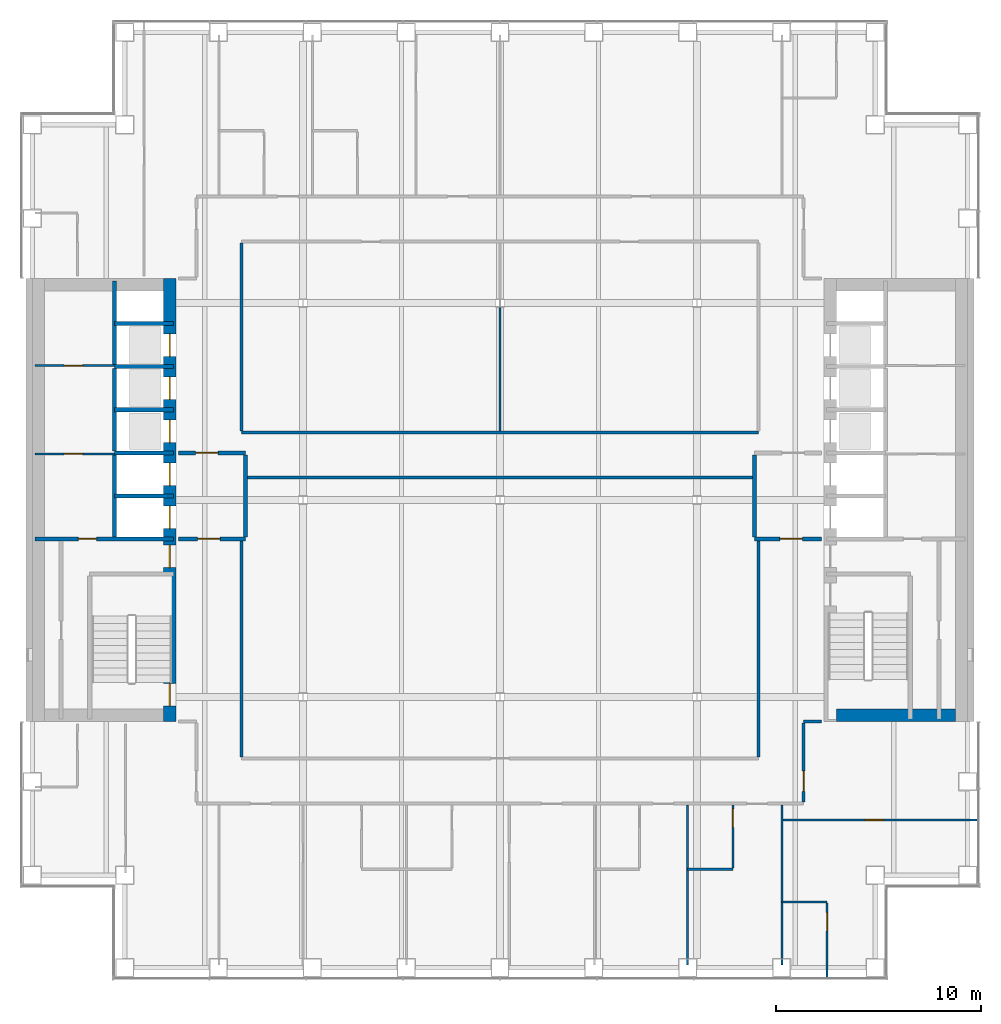
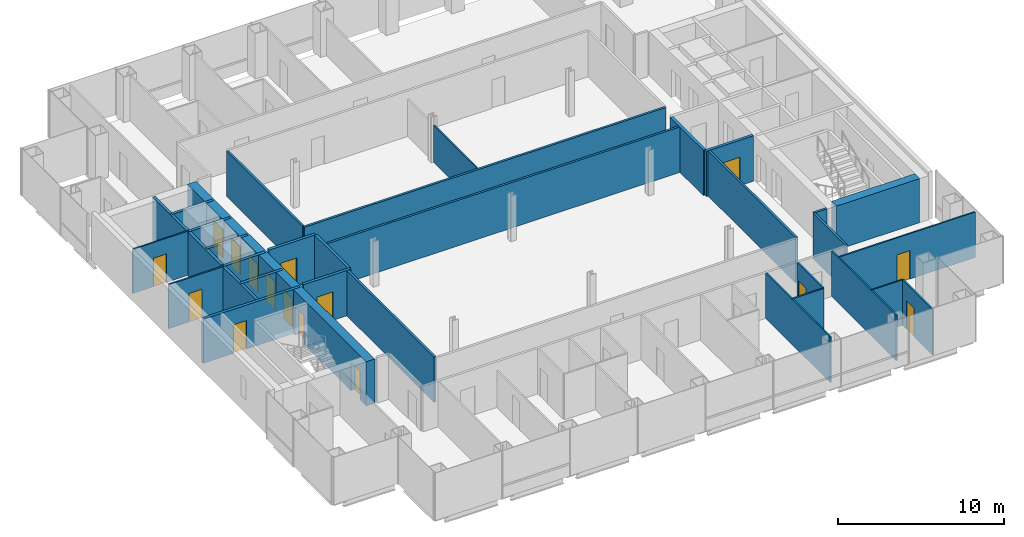
# One storey, part 11 of 15: 33 walls, 17 doors, 17 openings.
"""IFC4 building model written with IfcOpenShell, lengths in metres."""

from ifc_helpers import new_model, si_unit, direction, frame, frame_2d, origin, place, context, subcontext, project, spatial, rectangle, extrude, material, layer, layer_set, type_object, element, fill, save


model = new_model("IFC4")

# Units and contexts
model_context = context("Model", 3, precision=1e-05, world=origin(), true_north=direction((0.0, 1.0)))
body_context = subcontext(model_context, "Body", "Model", "MODEL_VIEW")
ifc_project = project(units=[si_unit("LENGTHUNIT", "METRE"), si_unit("AREAUNIT", "SQUARE_METRE"), si_unit("VOLUMEUNIT", "CUBIC_METRE"), si_unit("PLANEANGLEUNIT", "RADIAN"), si_unit("MASSUNIT", "GRAM", prefix="KILO")], contexts=[model_context])

# Site, building, storey
site_placement = place(None, origin())
site = spatial("IfcSite", under=ifc_project, at=site_placement, CompositionType="ELEMENT")
building_placement = place(site_placement, origin())
building = spatial("IfcBuilding", under=site, at=building_placement, Name="Cobrizo Arcos Hotel Tower", CompositionType="ELEMENT")
storey_placement = place(building_placement, frame((0.0, 0.0, 99.5)))
storey = spatial("IfcBuildingStorey", under=building, at=storey_placement, Name="L24", CompositionType="ELEMENT", Elevation=99.5)

# Walls
ifc_material_1 = material(Name="Gypsum board partition")
ifc_layer_1 = layer(ifc_material_1, 0.14990234375)
ifc_layer_set_1 = layer_set([ifc_layer_1], Name="Corridor wall EI 60 150")
wall_type_1 = type_object("IfcWallType", Name="Corridor wall EI 60 150", PredefinedType="PARTITIONING", material=ifc_layer_set_1)
wall_1_placement = place(storey_placement, frame((14.800048828125, -10.800048828125, 0.0), z_axis=(0.0, 0.0, 1.0), x_axis=(1.0, 0.0, 0.0)))
element("IfcWall", 1, at=wall_1_placement, inside=storey, type_object=wall_type_1, Name="Partition 010", PredefinedType="PARTITIONING", context=body_context, shape_type="SweptSolid", body=[
    extrude(rectangle(XDim=0.8798828125, YDim=0.14990234375, at=frame_2d((0.43994140625, 0.0))), origin(), (0.0, 0.0, 1.0), 3.35009765625),
])
wall_2_placement = place(storey_placement, frame((-12.39990234375, 1.10009765625, 0.0), z_axis=(0.0, 0.0, 1.0), x_axis=(1.0, 0.0, 0.0)))
element("IfcWall", 2, at=wall_2_placement, inside=storey, type_object=wall_type_1, Name="Partition 019", PredefinedType="PARTITIONING", context=body_context, shape_type="SweptSolid", body=[
    extrude(rectangle(XDim=24.7998046875, YDim=0.14990234375, at=frame_2d((12.39990234375, 0.0))), origin(), (0.0, 0.0, 1.0), 3.35009765625),
])
wall_3_placement = place(storey_placement, frame((-12.60009765625, 3.300048828125, 0.0), z_axis=(0.0, 0.0, 1.0), x_axis=(1.0, 0.0, 0.0)))
element("IfcWall", 3, at=wall_3_placement, inside=storey, type_object=wall_type_1, Name="Partition 026", PredefinedType="PARTITIONING", context=body_context, shape_type="SweptSolid", body=[
    extrude(rectangle(XDim=25.2001953125, YDim=0.14990234375, at=frame_2d((12.60009765625, 0.0))), origin(), (0.0, 0.0, 1.0), 3.35009765625),
])
wall_4_placement = place(storey_placement, frame((-12.60009765625, -12.52490234375, 0.0), z_axis=(0.0, 0.0, 1.0), x_axis=(0.0, 1.0, 0.0)))
element("IfcWall", 4, at=wall_4_placement, inside=storey, type_object=wall_type_1, Name="Partition 056", PredefinedType="PARTITIONING", context=body_context, shape_type="SweptSolid", body=[
    extrude(rectangle(XDim=10.52490234375, YDim=0.14990234375, at=frame_2d((5.262451171875, 0.0))), origin(), (0.0, 0.0, 1.0), 3.35009765625),
])
wall_5_placement = place(storey_placement, frame((-12.60009765625, 3.375, 0.0), z_axis=(0.0, 0.0, 1.0), x_axis=(0.0, 1.0, 0.0)))
element("IfcWall", 5, at=wall_5_placement, inside=storey, type_object=wall_type_1, Name="Partition 057", PredefinedType="PARTITIONING", context=body_context, shape_type="SweptSolid", body=[
    extrude(rectangle(XDim=9.14990234375, YDim=0.14990234375, at=frame_2d((4.574951171875, 0.0))), origin(), (0.0, 0.0, 1.0), 3.35009765625),
])
wall_6_placement = place(storey_placement, frame((12.60009765625, -12.52490234375, 0.0), z_axis=(0.0, 0.0, 1.0), x_axis=(0.0, 1.0, 0.0)))
element("IfcWall", 6, at=wall_6_placement, inside=storey, type_object=wall_type_1, Name="Partition 080", PredefinedType="PARTITIONING", context=body_context, shape_type="SweptSolid", body=[
    extrude(rectangle(XDim=10.52490234375, YDim=0.14990234375, at=frame_2d((5.262451171875, 0.0))), origin(), (0.0, 0.0, 1.0), 3.35009765625),
])

# Wall, opening, door
wall_7_placement = place(storey_placement, frame((14.800048828125, -14.72509765625, 0.0), z_axis=(0.0, 0.0, 1.0), x_axis=(0.0, 1.0, 0.0)))
wall_7 = element("IfcWall", 7, at=wall_7_placement, inside=storey, type_object=wall_type_1, Name="Partition 084", PredefinedType="PARTITIONING", context=body_context, shape_type="SweptSolid", body=[
    extrude(rectangle(XDim=3.85009765625, YDim=0.14990234375, at=frame_2d((1.925048828125, 0.0))), origin(), (0.0, 0.0, 1.0), 3.35009765625),
])
opening_1_placement = place(wall_7_placement, frame((0.52490234375, 0.0, 0.0)))
opening_1 = element("IfcOpeningElement", 8, at=opening_1_placement, cuts=wall_7, Name="Opening GD-09", PredefinedType="OPENING", context=body_context, shape_type="SweptSolid", body=[
    extrude(rectangle(XDim=1.0, YDim=2.10009765625, at=frame_2d((0.5, 1.050048828125))), frame((0.0, 0.0869140625, 0.0), z_axis=(0.0, -1.0, 0.0), x_axis=(1.0, 0.0, 0.0)), (0.0, 0.0, 1.0), 0.173828125),
])
ifc_material_2 = material(Name="Timber door leaf", Category="wood")
door_type_1 = type_object("IfcDoorType", Name="Guest room door FD30S 1000x2100", OperationType="SINGLE_SWING_LEFT", PredefinedType="DOOR", material=ifc_material_2)
door_1_placement = place(opening_1_placement, origin())
door_1 = element("IfcDoor", 9, at=door_1_placement, inside=storey, type_object=door_type_1, Name="Door GD-09", OperationType="SINGLE_SWING_LEFT", OverallHeight=2.10009765625, OverallWidth=1.0, PredefinedType="DOOR", context=body_context, shape_type="SweptSolid", body=[
    extrude(rectangle(XDim=1.0, YDim=2.10009765625, at=frame_2d((0.5, 1.050048828125))), frame((0.0, 0.02490234375, 0.0), z_axis=(0.0, -1.0, 0.0), x_axis=(1.0, 0.0, 0.0)), (0.0, 0.0, 1.0), 0.050048828125),
])
fill(opening_1, door_1)

# Walls
ifc_layer_2 = layer(ifc_material_1, 0.10009765625)
ifc_layer_set_2 = layer_set([ifc_layer_2], Name="Partition EI 30 100")
wall_type_2 = type_object("IfcWallType", Name="Partition EI 30 100", PredefinedType="PARTITIONING", material=ifc_layer_set_2)
wall_8_placement = place(storey_placement, frame((13.75, -19.60009765625, 0.0), z_axis=(0.0, 0.0, 1.0), x_axis=(1.0, 0.0, 0.0)))
element("IfcWall", 10, at=wall_8_placement, inside=storey, type_object=wall_type_2, Name="Partition 001", PredefinedType="PARTITIONING", context=body_context, shape_type="SweptSolid", body=[
    extrude(rectangle(XDim=2.199951171875, YDim=0.10009765625, at=frame_2d((1.10009765625, 0.0))), origin(), (0.0, 0.0, 1.0), 3.35009765625),
])
wall_9_placement = place(storey_placement, frame((9.14990234375, -18.0, 0.0), z_axis=(0.0, 0.0, 1.0), x_axis=(1.0, 0.0, 0.0)))
element("IfcWall", 11, at=wall_9_placement, inside=storey, type_object=wall_type_2, Name="Partition 004", PredefinedType="PARTITIONING", context=body_context, shape_type="SweptSolid", body=[
    extrude(rectangle(XDim=2.2001953125, YDim=0.10009765625, at=frame_2d((1.10009765625, 0.0))), origin(), (0.0, 0.0, 1.0), 3.35009765625),
])

# Wall, opening, door
wall_10_placement = place(storey_placement, frame((13.75, -15.60009765625, 0.0), z_axis=(0.0, 0.0, 1.0), x_axis=(1.0, 0.0, 0.0)))
wall_10 = element("IfcWall", 12, at=wall_10_placement, inside=storey, type_object=wall_type_2, Name="Partition 005", PredefinedType="PARTITIONING", context=body_context, shape_type="SweptSolid", body=[
    extrude(rectangle(XDim=9.530029296875, YDim=0.10009765625, at=frame_2d((4.76513671875, 0.0))), origin(), (0.0, 0.0, 1.0), 3.35009765625),
])
opening_2_placement = place(wall_10_placement, frame((4.06201171875, 0.0, 0.0)))
opening_2 = element("IfcOpeningElement", 13, at=opening_2_placement, cuts=wall_10, Name="Opening RD-15", PredefinedType="OPENING", context=body_context, shape_type="SweptSolid", body=[
    extrude(rectangle(XDim=0.89990234375, YDim=2.10009765625, at=frame_2d((0.449951171875, 1.050048828125))), frame((0.0, 0.06201171875, 0.0), z_axis=(0.0, -1.0, 0.0), x_axis=(1.0, 0.0, 0.0)), (0.0, 0.0, 1.0), 0.1240234375),
])
door_type_2 = type_object("IfcDoorType", Name="Room door FD30 900x2100", OperationType="SINGLE_SWING_LEFT", PredefinedType="DOOR", material=ifc_material_2)
door_2_placement = place(opening_2_placement, origin())
door_2 = element("IfcDoor", 14, at=door_2_placement, inside=storey, type_object=door_type_2, Name="Door RD-15", OperationType="SINGLE_SWING_LEFT", OverallHeight=2.10009765625, OverallWidth=0.89990234375, PredefinedType="DOOR", context=body_context, shape_type="SweptSolid", body=[
    extrude(rectangle(XDim=0.89990234375, YDim=2.10009765625, at=frame_2d((0.449951171875, 1.050048828125))), frame((0.0, 0.02490234375, 0.0), z_axis=(0.0, -1.0, 0.0), x_axis=(1.0, 0.0, 0.0)), (0.0, 0.0, 1.0), 0.050048828125),
])
fill(opening_2, door_2)

wall_11_placement = place(storey_placement, frame((-22.679931640625, 2.25, 0.0), z_axis=(0.0, 0.0, 1.0), x_axis=(1.0, 0.0, 0.0)))
wall_11 = element("IfcWall", 15, at=wall_11_placement, inside=storey, type_object=wall_type_2, Name="Partition 020", PredefinedType="PARTITIONING", context=body_context, shape_type="SweptSolid", body=[
    extrude(rectangle(XDim=3.8798828125, YDim=0.10009765625, at=frame_2d((1.93994140625, 0.0))), origin(), (0.0, 0.0, 1.0), 3.25),
])
opening_3_placement = place(wall_11_placement, frame((1.429931640625, 0.0, 0.0)))
opening_3 = element("IfcOpeningElement", 16, at=opening_3_placement, cuts=wall_11, Name="Opening RD-03", PredefinedType="OPENING", context=body_context, shape_type="SweptSolid", body=[
    extrude(rectangle(XDim=0.89990234375, YDim=2.10009765625, at=frame_2d((0.449951171875, 1.050048828125))), frame((0.0, 0.06201171875, 0.0), z_axis=(0.0, -1.0, 0.0), x_axis=(1.0, 0.0, 0.0)), (0.0, 0.0, 1.0), 0.1240234375),
])
door_3_placement = place(opening_3_placement, origin())
door_3 = element("IfcDoor", 17, at=door_3_placement, inside=storey, type_object=door_type_2, Name="Door RD-03", OperationType="SINGLE_SWING_LEFT", OverallHeight=2.10009765625, OverallWidth=0.89990234375, PredefinedType="DOOR", context=body_context, shape_type="SweptSolid", body=[
    extrude(rectangle(XDim=0.89990234375, YDim=2.10009765625, at=frame_2d((0.449951171875, 1.050048828125))), frame((0.0, 0.02490234375, 0.0), z_axis=(0.0, -1.0, 0.0), x_axis=(1.0, 0.0, 0.0)), (0.0, 0.0, 1.0), 0.050048828125),
])
fill(opening_3, door_3)

wall_12_placement = place(storey_placement, frame((-22.679931640625, 6.550048828125, 0.0), z_axis=(0.0, 0.0, 1.0), x_axis=(1.0, 0.0, 0.0)))
wall_12 = element("IfcWall", 18, at=wall_12_placement, inside=storey, type_object=wall_type_2, Name="Partition 031", PredefinedType="PARTITIONING", context=body_context, shape_type="SweptSolid", body=[
    extrude(rectangle(XDim=3.8798828125, YDim=0.10009765625, at=frame_2d((1.93994140625, 0.0))), origin(), (0.0, 0.0, 1.0), 3.25),
])
opening_4_placement = place(wall_12_placement, frame((1.429931640625, 0.0, 0.0)))
opening_4 = element("IfcOpeningElement", 19, at=opening_4_placement, cuts=wall_12, Name="Opening RD-04", PredefinedType="OPENING", context=body_context, shape_type="SweptSolid", body=[
    extrude(rectangle(XDim=0.89990234375, YDim=2.10009765625, at=frame_2d((0.449951171875, 1.050048828125))), frame((0.0, 0.06201171875, 0.0), z_axis=(0.0, -1.0, 0.0), x_axis=(1.0, 0.0, 0.0)), (0.0, 0.0, 1.0), 0.1240234375),
])
door_4_placement = place(opening_4_placement, origin())
door_4 = element("IfcDoor", 20, at=door_4_placement, inside=storey, type_object=door_type_2, Name="Door RD-04", OperationType="SINGLE_SWING_LEFT", OverallHeight=2.10009765625, OverallWidth=0.89990234375, PredefinedType="DOOR", context=body_context, shape_type="SweptSolid", body=[
    extrude(rectangle(XDim=0.89990234375, YDim=2.10009765625, at=frame_2d((0.449951171875, 1.050048828125))), frame((0.0, 0.02490234375, 0.0), z_axis=(0.0, -1.0, 0.0), x_axis=(1.0, 0.0, 0.0)), (0.0, 0.0, 1.0), 0.050048828125),
])
fill(opening_4, door_4)

# Walls
wall_13_placement = place(storey_placement, frame((0.0, 3.375, 0.0), z_axis=(0.0, 0.0, 1.0), x_axis=(0.0, 1.0, 0.0)))
element("IfcWall", 21, at=wall_13_placement, inside=storey, type_object=wall_type_2, Name="Partition 069", PredefinedType="PARTITIONING", context=body_context, shape_type="SweptSolid", body=[
    extrude(rectangle(XDim=6.02587890625, YDim=0.10009765625, at=frame_2d((3.012939453125, 0.0))), origin(), (0.0, 0.0, 1.0), 2.72802734375),
])
wall_14_placement = place(storey_placement, frame((9.14990234375, -22.679931640625, 0.0), z_axis=(0.0, 0.0, 1.0), x_axis=(0.0, 1.0, 0.0)))
element("IfcWall", 22, at=wall_14_placement, inside=storey, type_object=wall_type_2, Name="Partition 077", PredefinedType="PARTITIONING", context=body_context, shape_type="SweptSolid", body=[
    extrude(rectangle(XDim=7.804931640625, YDim=0.10009765625, at=frame_2d((3.90234375, 0.0))), origin(), (0.0, 0.0, 1.0), 3.35009765625),
])

# Wall, opening, door
wall_15_placement = place(storey_placement, frame((11.35009765625, -17.949951171875, 0.0), z_axis=(0.0, 0.0, 1.0), x_axis=(0.0, 1.0, 0.0)))
wall_15 = element("IfcWall", 23, at=wall_15_placement, inside=storey, type_object=wall_type_2, Name="Partition 078", PredefinedType="PARTITIONING", context=body_context, shape_type="SweptSolid", body=[
    extrude(rectangle(XDim=3.074951171875, YDim=0.10009765625, at=frame_2d((1.53759765625, 0.0))), origin(), (0.0, 0.0, 1.0), 3.35009765625),
])
opening_5_placement = place(wall_15_placement, frame((1.99609375, 0.0, 0.0)))
opening_5 = element("IfcOpeningElement", 24, at=opening_5_placement, cuts=wall_15, Name="Opening ED-06", PredefinedType="OPENING", context=body_context, shape_type="SweptSolid", body=[
    extrude(rectangle(XDim=0.89990234375, YDim=2.10009765625, at=frame_2d((0.449951171875, 1.050048828125))), frame((0.0, 0.06201171875, 0.0), z_axis=(0.0, -1.0, 0.0), x_axis=(1.0, 0.0, 0.0)), (0.0, 0.0, 1.0), 0.1240234375),
])
door_type_3 = type_object("IfcDoorType", Name="En-suite door 900x2100", OperationType="SINGLE_SWING_LEFT", PredefinedType="DOOR", material=ifc_material_2)
door_5_placement = place(opening_5_placement, origin())
door_5 = element("IfcDoor", 25, at=door_5_placement, inside=storey, type_object=door_type_3, Name="Door ED-06", OperationType="SINGLE_SWING_LEFT", OverallHeight=2.10009765625, OverallWidth=0.89990234375, PredefinedType="DOOR", context=body_context, shape_type="SweptSolid", body=[
    extrude(rectangle(XDim=0.89990234375, YDim=2.10009765625, at=frame_2d((0.449951171875, 1.050048828125))), frame((0.0, 0.02490234375, 0.0), z_axis=(0.0, -1.0, 0.0), x_axis=(1.0, 0.0, 0.0)), (0.0, 0.0, 1.0), 0.050048828125),
])
fill(opening_5, door_5)

# Wall
wall_16_placement = place(storey_placement, frame((13.75, -22.679931640625, 0.0), z_axis=(0.0, 0.0, 1.0), x_axis=(0.0, 1.0, 0.0)))
element("IfcWall", 26, at=wall_16_placement, inside=storey, type_object=wall_type_2, Name="Partition 082", PredefinedType="PARTITIONING", context=body_context, shape_type="SweptSolid", body=[
    extrude(rectangle(XDim=7.804931640625, YDim=0.10009765625, at=frame_2d((3.90234375, 0.0))), origin(), (0.0, 0.0, 1.0), 3.35009765625),
])

# Wall, opening, door
wall_17_placement = place(storey_placement, frame((15.949951171875, -23.280029296875, 0.0), z_axis=(0.0, 0.0, 1.0), x_axis=(0.0, 1.0, 0.0)))
wall_17 = element("IfcWall", 27, at=wall_17_placement, inside=storey, type_object=wall_type_2, Name="Partition 086", PredefinedType="PARTITIONING", context=body_context, shape_type="SweptSolid", body=[
    extrude(rectangle(XDim=3.630126953125, YDim=0.10009765625, at=frame_2d((1.81494140625, 0.0))), origin(), (0.0, 0.0, 1.0), 3.35009765625),
])
opening_6_placement = place(wall_17_placement, frame((2.27001953125, 0.0, 0.0)))
opening_6 = element("IfcOpeningElement", 28, at=opening_6_placement, cuts=wall_17, Name="Opening ED-09", PredefinedType="OPENING", context=body_context, shape_type="SweptSolid", body=[
    extrude(rectangle(XDim=0.89990234375, YDim=2.10009765625, at=frame_2d((0.449951171875, 1.050048828125))), frame((0.0, 0.06201171875, 0.0), z_axis=(0.0, -1.0, 0.0), x_axis=(1.0, 0.0, 0.0)), (0.0, 0.0, 1.0), 0.1240234375),
])
door_6_placement = place(opening_6_placement, origin())
door_6 = element("IfcDoor", 29, at=door_6_placement, inside=storey, type_object=door_type_3, Name="Door ED-09", OperationType="SINGLE_SWING_LEFT", OverallHeight=2.10009765625, OverallWidth=0.89990234375, PredefinedType="DOOR", context=body_context, shape_type="SweptSolid", body=[
    extrude(rectangle(XDim=0.89990234375, YDim=2.10009765625, at=frame_2d((0.449951171875, 1.050048828125))), frame((0.0, 0.02490234375, 0.0), z_axis=(0.0, -1.0, 0.0), x_axis=(1.0, 0.0, 0.0)), (0.0, 0.0, 1.0), 0.050048828125),
])
fill(opening_6, door_6)

# Wall
ifc_material_3 = material(Name="Concrete f'c 50 MPa", Category="concrete")
ifc_layer_3 = layer(ifc_material_3, 0.60009765625)
ifc_layer_set_3 = layer_set([ifc_layer_3], Name="RC core wall 600 f'c 50")
wall_type_3 = type_object("IfcWallType", Name="RC core wall 600 f'c 50", PredefinedType="SHEAR", material=ifc_layer_set_3)
wall_18_placement = place(storey_placement, frame((16.39990234375, -10.5, 0.0), z_axis=(0.0, 0.0, 1.0), x_axis=(1.0, 0.0, 0.0)))
element("IfcWall", 30, at=wall_18_placement, inside=storey, type_object=wall_type_3, Name="Core wall CW2, east core, south end, L24", PredefinedType="SHEAR", context=body_context, shape_type="SweptSolid", body=[
    extrude(rectangle(XDim=5.800048828125, YDim=0.60009765625, at=frame_2d((2.89990234375, 0.0))), origin(), (0.0, 0.0, 1.0), 3.25),
])

# Wall, openings, doors
wall_19_placement = place(storey_placement, frame((-16.10009765625, -10.800048828125, 0.0), z_axis=(0.0, 0.0, 1.0), x_axis=(0.0, 1.0, 0.0)))
wall_19 = element("IfcWall", 31, at=wall_19_placement, inside=storey, type_object=wall_type_3, Name="Core wall CW2, west core, inner face, L24", PredefinedType="SHEAR", context=body_context, shape_type="SweptSolid", body=[
    extrude(rectangle(XDim=21.60009765625, YDim=0.60009765625, at=frame_2d((10.800048828125, 0.0))), origin(), (0.0, 0.0, 1.0), 3.25),
])
opening_7_placement = place(wall_19_placement, frame((9.39990234375, 0.0, 0.0)))
opening_7 = element("IfcOpeningElement", 32, at=opening_7_placement, cuts=wall_19, Name="Opening LD-01", PredefinedType="OPENING", context=body_context, shape_type="SweptSolid", body=[
    extrude(rectangle(XDim=1.10009765625, YDim=2.10009765625, at=frame_2d((0.550048828125, 1.050048828125))), frame((0.0, 0.31201171875, 0.0), z_axis=(0.0, -1.0, 0.0), x_axis=(1.0, 0.0, 0.0)), (0.0, 0.0, 1.0), 0.6240234375),
])
opening_8_placement = place(wall_19_placement, frame((11.5, 0.0, 0.0)))
opening_8 = element("IfcOpeningElement", 33, at=opening_8_placement, cuts=wall_19, Name="Opening LD-02", PredefinedType="OPENING", context=body_context, shape_type="SweptSolid", body=[
    extrude(rectangle(XDim=1.10009765625, YDim=2.10009765625, at=frame_2d((0.550048828125, 1.050048828125))), frame((0.0, 0.31201171875, 0.0), z_axis=(0.0, -1.0, 0.0), x_axis=(1.0, 0.0, 0.0)), (0.0, 0.0, 1.0), 0.6240234375),
])
opening_9_placement = place(wall_19_placement, frame((13.60009765625, 0.0, 0.0)))
opening_9 = element("IfcOpeningElement", 34, at=opening_9_placement, cuts=wall_19, Name="Opening LD-03", PredefinedType="OPENING", context=body_context, shape_type="SweptSolid", body=[
    extrude(rectangle(XDim=1.10009765625, YDim=2.10009765625, at=frame_2d((0.550048828125, 1.050048828125))), frame((0.0, 0.31201171875, 0.0), z_axis=(0.0, -1.0, 0.0), x_axis=(1.0, 0.0, 0.0)), (0.0, 0.0, 1.0), 0.6240234375),
])
opening_10_placement = place(wall_19_placement, frame((15.699951171875, 0.0, 0.0)))
opening_10 = element("IfcOpeningElement", 35, at=opening_10_placement, cuts=wall_19, Name="Opening LD-04", PredefinedType="OPENING", context=body_context, shape_type="SweptSolid", body=[
    extrude(rectangle(XDim=1.10009765625, YDim=2.10009765625, at=frame_2d((0.550048828125, 1.050048828125))), frame((0.0, 0.31201171875, 0.0), z_axis=(0.0, -1.0, 0.0), x_axis=(1.0, 0.0, 0.0)), (0.0, 0.0, 1.0), 0.6240234375),
])
opening_11_placement = place(wall_19_placement, frame((17.800048828125, 0.0, 0.0)))
opening_11 = element("IfcOpeningElement", 36, at=opening_11_placement, cuts=wall_19, Name="Opening LD-05", PredefinedType="OPENING", context=body_context, shape_type="SweptSolid", body=[
    extrude(rectangle(XDim=1.10009765625, YDim=2.10009765625, at=frame_2d((0.550048828125, 1.050048828125))), frame((0.0, 0.31201171875, 0.0), z_axis=(0.0, -1.0, 0.0), x_axis=(1.0, 0.0, 0.0)), (0.0, 0.0, 1.0), 0.6240234375),
])
opening_12_placement = place(wall_19_placement, frame((0.758056640625, 0.0, 0.0)))
opening_12 = element("IfcOpeningElement", 37, at=opening_12_placement, cuts=wall_19, Name="Opening SD-01", PredefinedType="OPENING", context=body_context, shape_type="SweptSolid", body=[
    extrude(rectangle(XDim=1.10009765625, YDim=2.10009765625, at=frame_2d((0.550048828125, 1.050048828125))), frame((0.0, 0.31201171875, 0.0), z_axis=(0.0, -1.0, 0.0), x_axis=(1.0, 0.0, 0.0)), (0.0, 0.0, 1.0), 0.6240234375),
])
opening_13_placement = place(wall_19_placement, frame((7.5, 0.0, 0.0)))
opening_13 = element("IfcOpeningElement", 38, at=opening_13_placement, cuts=wall_19, Name="Opening FD-01", PredefinedType="OPENING", context=body_context, shape_type="SweptSolid", body=[
    extrude(rectangle(XDim=1.10009765625, YDim=2.10009765625, at=frame_2d((0.550048828125, 1.050048828125))), frame((0.0, 0.31201171875, 0.0), z_axis=(0.0, -1.0, 0.0), x_axis=(1.0, 0.0, 0.0)), (0.0, 0.0, 1.0), 0.6240234375),
])
ifc_material_4 = material(Name="Steel door leaf", Category="steel")
door_type_4 = type_object("IfcDoorType", Name="Fire door FD60 1100x2100", OperationType="SINGLE_SWING_LEFT", PredefinedType="DOOR", material=ifc_material_4)
door_7_placement = place(opening_13_placement, origin())
door_7 = element("IfcDoor", 39, at=door_7_placement, inside=storey, type_object=door_type_4, Name="Door FD-01", OperationType="SINGLE_SWING_LEFT", OverallHeight=2.10009765625, OverallWidth=1.10009765625, PredefinedType="DOOR", context=body_context, shape_type="SweptSolid", body=[
    extrude(rectangle(XDim=1.10009765625, YDim=2.10009765625, at=frame_2d((0.550048828125, 1.050048828125))), frame((0.0, 0.02490234375, 0.0), z_axis=(0.0, -1.0, 0.0), x_axis=(1.0, 0.0, 0.0)), (0.0, 0.0, 1.0), 0.050048828125),
])
fill(opening_13, door_7)
door_type_5 = type_object("IfcDoorType", Name="Lift landing door 1100x2100", OperationType="SLIDING_TO_LEFT", PredefinedType="DOOR", material=ifc_material_4)
door_8_placement = place(opening_7_placement, origin())
door_8 = element("IfcDoor", 40, at=door_8_placement, inside=storey, type_object=door_type_5, Name="Lift landing door LD-01", OperationType="SLIDING_TO_LEFT", OverallHeight=2.10009765625, OverallWidth=1.10009765625, PredefinedType="DOOR", context=body_context, shape_type="SweptSolid", body=[
    extrude(rectangle(XDim=1.10009765625, YDim=2.10009765625, at=frame_2d((0.550048828125, 1.050048828125))), frame((0.0, 0.02490234375, 0.0), z_axis=(0.0, -1.0, 0.0), x_axis=(1.0, 0.0, 0.0)), (0.0, 0.0, 1.0), 0.050048828125),
])
fill(opening_7, door_8)
door_9_placement = place(opening_8_placement, origin())
door_9 = element("IfcDoor", 41, at=door_9_placement, inside=storey, type_object=door_type_5, Name="Lift landing door LD-02", OperationType="SLIDING_TO_LEFT", OverallHeight=2.10009765625, OverallWidth=1.10009765625, PredefinedType="DOOR", context=body_context, shape_type="SweptSolid", body=[
    extrude(rectangle(XDim=1.10009765625, YDim=2.10009765625, at=frame_2d((0.550048828125, 1.050048828125))), frame((0.0, 0.02490234375, 0.0), z_axis=(0.0, -1.0, 0.0), x_axis=(1.0, 0.0, 0.0)), (0.0, 0.0, 1.0), 0.050048828125),
])
fill(opening_8, door_9)
door_10_placement = place(opening_9_placement, origin())
door_10 = element("IfcDoor", 42, at=door_10_placement, inside=storey, type_object=door_type_5, Name="Lift landing door LD-03", OperationType="SLIDING_TO_LEFT", OverallHeight=2.10009765625, OverallWidth=1.10009765625, PredefinedType="DOOR", context=body_context, shape_type="SweptSolid", body=[
    extrude(rectangle(XDim=1.10009765625, YDim=2.10009765625, at=frame_2d((0.550048828125, 1.050048828125))), frame((0.0, 0.02490234375, 0.0), z_axis=(0.0, -1.0, 0.0), x_axis=(1.0, 0.0, 0.0)), (0.0, 0.0, 1.0), 0.050048828125),
])
fill(opening_9, door_10)
door_11_placement = place(opening_10_placement, origin())
door_11 = element("IfcDoor", 43, at=door_11_placement, inside=storey, type_object=door_type_5, Name="Lift landing door LD-04", OperationType="SLIDING_TO_LEFT", OverallHeight=2.10009765625, OverallWidth=1.10009765625, PredefinedType="DOOR", context=body_context, shape_type="SweptSolid", body=[
    extrude(rectangle(XDim=1.10009765625, YDim=2.10009765625, at=frame_2d((0.550048828125, 1.050048828125))), frame((0.0, 0.02490234375, 0.0), z_axis=(0.0, -1.0, 0.0), x_axis=(1.0, 0.0, 0.0)), (0.0, 0.0, 1.0), 0.050048828125),
])
fill(opening_10, door_11)
door_12_placement = place(opening_11_placement, origin())
door_12 = element("IfcDoor", 44, at=door_12_placement, inside=storey, type_object=door_type_5, Name="Lift landing door LD-05", OperationType="SLIDING_TO_LEFT", OverallHeight=2.10009765625, OverallWidth=1.10009765625, PredefinedType="DOOR", context=body_context, shape_type="SweptSolid", body=[
    extrude(rectangle(XDim=1.10009765625, YDim=2.10009765625, at=frame_2d((0.550048828125, 1.050048828125))), frame((0.0, 0.02490234375, 0.0), z_axis=(0.0, -1.0, 0.0), x_axis=(1.0, 0.0, 0.0)), (0.0, 0.0, 1.0), 0.050048828125),
])
fill(opening_11, door_12)
door_type_6 = type_object("IfcDoorType", Name="Stair door FD60S 1100x2100", OperationType="SINGLE_SWING_LEFT", PredefinedType="DOOR", material=ifc_material_4)
door_13_placement = place(opening_12_placement, origin())
door_13 = element("IfcDoor", 45, at=door_13_placement, inside=storey, type_object=door_type_6, Name="Door SD-01", OperationType="SINGLE_SWING_RIGHT", OverallHeight=2.10009765625, OverallWidth=1.10009765625, PredefinedType="DOOR", context=body_context, shape_type="SweptSolid", body=[
    extrude(rectangle(XDim=1.10009765625, YDim=2.10009765625, at=frame_2d((0.550048828125, 1.050048828125))), frame((0.0, 0.02490234375, 0.0), z_axis=(0.0, -1.0, 0.0), x_axis=(1.0, 0.0, 0.0)), (0.0, 0.0, 1.0), 0.050048828125),
])
fill(opening_12, door_13)

# Wall, opening, door
ifc_layer_4 = layer(ifc_material_1, 0.199951171875)
ifc_layer_set_4 = layer_set([ifc_layer_4], Name="Shaft wall EI 120 200")
wall_type_4 = type_object("IfcWallType", Name="Shaft wall EI 120 200", PredefinedType="PARTITIONING", material=ifc_layer_set_4)
wall_20_placement = place(storey_placement, frame((-22.679931640625, -1.89990234375, 0.0), z_axis=(0.0, 0.0, 1.0), x_axis=(1.0, 0.0, 0.0)))
wall_20 = element("IfcWall", 46, at=wall_20_placement, inside=storey, type_object=wall_type_4, Name="Partition 013", PredefinedType="PARTITIONING", context=body_context, shape_type="SweptSolid", body=[
    extrude(rectangle(XDim=6.760009765625, YDim=0.199951171875, at=frame_2d((3.3798828125, 0.0))), origin(), (0.0, 0.0, 1.0), 3.25),
])
opening_14_placement = place(wall_20_placement, frame((2.1201171875, 0.0, 0.0)))
opening_14 = element("IfcOpeningElement", 47, at=opening_14_placement, cuts=wall_20, Name="Opening RD-02", PredefinedType="OPENING", context=body_context, shape_type="SweptSolid", body=[
    extrude(rectangle(XDim=0.89990234375, YDim=2.10009765625, at=frame_2d((0.449951171875, 1.050048828125))), frame((0.0, 0.112060546875, 0.0), z_axis=(0.0, -1.0, 0.0), x_axis=(1.0, 0.0, 0.0)), (0.0, 0.0, 1.0), 0.223876953125),
])
door_14_placement = place(opening_14_placement, origin())
door_14 = element("IfcDoor", 48, at=door_14_placement, inside=storey, type_object=door_type_2, Name="Door RD-02", OperationType="SINGLE_SWING_RIGHT", OverallHeight=2.10009765625, OverallWidth=0.89990234375, PredefinedType="DOOR", context=body_context, shape_type="SweptSolid", body=[
    extrude(rectangle(XDim=0.89990234375, YDim=2.10009765625, at=frame_2d((0.449951171875, 1.050048828125))), frame((0.0, 0.02490234375, 0.0), z_axis=(0.0, -1.0, 0.0), x_axis=(1.0, 0.0, 0.0)), (0.0, 0.0, 1.0), 0.050048828125),
])
fill(opening_14, door_14)

wall_21_placement = place(storey_placement, frame((-15.679931640625, -1.89990234375, 0.0), z_axis=(0.0, 0.0, 1.0), x_axis=(1.0, 0.0, 0.0)))
wall_21 = element("IfcWall", 49, at=wall_21_placement, inside=storey, type_object=wall_type_4, Name="Partition 014", PredefinedType="PARTITIONING", context=body_context, shape_type="SweptSolid", body=[
    extrude(rectangle(XDim=3.280029296875, YDim=0.199951171875, at=frame_2d((1.64013671875, 0.0))), origin(), (0.0, 0.0, 1.0), 3.35009765625),
])
opening_15_placement = place(wall_21_placement, frame((0.93994140625, 0.0, 0.0)))
opening_15 = element("IfcOpeningElement", 50, at=opening_15_placement, cuts=wall_21, Name="Opening FD-02", PredefinedType="OPENING", context=body_context, shape_type="SweptSolid", body=[
    extrude(rectangle(XDim=1.10009765625, YDim=2.10009765625, at=frame_2d((0.550048828125, 1.050048828125))), frame((0.0, 0.112060546875, 0.0), z_axis=(0.0, -1.0, 0.0), x_axis=(1.0, 0.0, 0.0)), (0.0, 0.0, 1.0), 0.223876953125),
])
door_15_placement = place(opening_15_placement, origin())
door_15 = element("IfcDoor", 51, at=door_15_placement, inside=storey, type_object=door_type_4, Name="Door FD-02", OperationType="SINGLE_SWING_LEFT", OverallHeight=2.10009765625, OverallWidth=1.10009765625, PredefinedType="DOOR", context=body_context, shape_type="SweptSolid", body=[
    extrude(rectangle(XDim=1.10009765625, YDim=2.10009765625, at=frame_2d((0.550048828125, 1.050048828125))), frame((0.0, 0.02490234375, 0.0), z_axis=(0.0, -1.0, 0.0), x_axis=(1.0, 0.0, 0.0)), (0.0, 0.0, 1.0), 0.050048828125),
])
fill(opening_15, door_15)

wall_22_placement = place(storey_placement, frame((12.39990234375, -1.89990234375, 0.0), z_axis=(0.0, 0.0, 1.0), x_axis=(1.0, 0.0, 0.0)))
wall_22 = element("IfcWall", 52, at=wall_22_placement, inside=storey, type_object=wall_type_4, Name="Partition 015", PredefinedType="PARTITIONING", context=body_context, shape_type="SweptSolid", body=[
    extrude(rectangle(XDim=3.280029296875, YDim=0.199951171875, at=frame_2d((1.64013671875, 0.0))), origin(), (0.0, 0.0, 1.0), 3.35009765625),
])
opening_16_placement = place(wall_22_placement, frame((1.239990234375, 0.0, 0.0)))
opening_16 = element("IfcOpeningElement", 53, at=opening_16_placement, cuts=wall_22, Name="Opening FD-05", PredefinedType="OPENING", context=body_context, shape_type="SweptSolid", body=[
    extrude(rectangle(XDim=1.10009765625, YDim=2.10009765625, at=frame_2d((0.550048828125, 1.050048828125))), frame((0.0, 0.112060546875, 0.0), z_axis=(0.0, -1.0, 0.0), x_axis=(1.0, 0.0, 0.0)), (0.0, 0.0, 1.0), 0.223876953125),
])
door_16_placement = place(opening_16_placement, origin())
door_16 = element("IfcDoor", 54, at=door_16_placement, inside=storey, type_object=door_type_4, Name="Door FD-05", OperationType="SINGLE_SWING_LEFT", OverallHeight=2.10009765625, OverallWidth=1.10009765625, PredefinedType="DOOR", context=body_context, shape_type="SweptSolid", body=[
    extrude(rectangle(XDim=1.10009765625, YDim=2.10009765625, at=frame_2d((0.550048828125, 1.050048828125))), frame((0.0, 0.02490234375, 0.0), z_axis=(0.0, -1.0, 0.0), x_axis=(1.0, 0.0, 0.0)), (0.0, 0.0, 1.0), 0.050048828125),
])
fill(opening_16, door_16)

# Walls
for number, where, z_axis, x_axis, name in (
    (55, (-18.800048828125, 0.199951171875, 0.0), (0.0, 0.0, 1.0), (1.0, 0.0, 0.0), "Partition 017"),
    (56, (-18.800048828125, 2.300048828125, 0.0), (0.0, 0.0, 1.0), (1.0, 0.0, 0.0), "Partition 022"),
):
    element("IfcWall", number, at=place(storey_placement, frame(where, z_axis=z_axis, x_axis=x_axis)), inside=storey, type_object=wall_type_4, Name=name, PredefinedType="PARTITIONING", context=body_context, shape_type="SweptSolid", body=[
        extrude(rectangle(XDim=2.880126953125, YDim=0.199951171875, at=frame_2d((1.43994140625, 0.0))), origin(), (0.0, 0.0, 1.0), 3.25),
    ])

# Wall, opening, door
wall_23_placement = place(storey_placement, frame((-15.679931640625, 2.300048828125, 0.0), z_axis=(0.0, 0.0, 1.0), x_axis=(1.0, 0.0, 0.0)))
wall_23 = element("IfcWall", 57, at=wall_23_placement, inside=storey, type_object=wall_type_4, Name="Partition 023", PredefinedType="PARTITIONING", context=body_context, shape_type="SweptSolid", body=[
    extrude(rectangle(XDim=3.280029296875, YDim=0.199951171875, at=frame_2d((1.64013671875, 0.0))), origin(), (0.0, 0.0, 1.0), 3.35009765625),
])
opening_17_placement = place(wall_23_placement, frame((0.840087890625, 0.0, 0.0)))
opening_17 = element("IfcOpeningElement", 58, at=opening_17_placement, cuts=wall_23, Name="Opening FD-03", PredefinedType="OPENING", context=body_context, shape_type="SweptSolid", body=[
    extrude(rectangle(XDim=1.10009765625, YDim=2.10009765625, at=frame_2d((0.550048828125, 1.050048828125))), frame((0.0, 0.112060546875, 0.0), z_axis=(0.0, -1.0, 0.0), x_axis=(1.0, 0.0, 0.0)), (0.0, 0.0, 1.0), 0.223876953125),
])
door_17_placement = place(opening_17_placement, origin())
door_17 = element("IfcDoor", 59, at=door_17_placement, inside=storey, type_object=door_type_4, Name="Door FD-03", OperationType="SINGLE_SWING_RIGHT", OverallHeight=2.10009765625, OverallWidth=1.10009765625, PredefinedType="DOOR", context=body_context, shape_type="SweptSolid", body=[
    extrude(rectangle(XDim=1.10009765625, YDim=2.10009765625, at=frame_2d((0.550048828125, 1.050048828125))), frame((0.0, 0.02490234375, 0.0), z_axis=(0.0, -1.0, 0.0), x_axis=(1.0, 0.0, 0.0)), (0.0, 0.0, 1.0), 0.050048828125),
])
fill(opening_17, door_17)

# Walls
for number, where, z_axis, x_axis, name in (
    (60, (-18.800048828125, 4.39990234375, 0.0), (0.0, 0.0, 1.0), (1.0, 0.0, 0.0), "Partition 027"),
    (61, (-18.800048828125, 6.5, 0.0), (0.0, 0.0, 1.0), (1.0, 0.0, 0.0), "Partition 029"),
    (62, (-18.800048828125, 8.60009765625, 0.0), (0.0, 0.0, 1.0), (1.0, 0.0, 0.0), "Partition 033"),
):
    element("IfcWall", number, at=place(storey_placement, frame(where, z_axis=z_axis, x_axis=x_axis)), inside=storey, type_object=wall_type_4, Name=name, PredefinedType="PARTITIONING", context=body_context, shape_type="SweptSolid", body=[
        extrude(rectangle(XDim=2.880126953125, YDim=0.199951171875, at=frame_2d((1.43994140625, 0.0))), origin(), (0.0, 0.0, 1.0), 3.25),
    ])
for number, where, z_axis, x_axis, name in (
    (63, (-18.800048828125, -1.800048828125, 0.0), (0.0, 0.0, 1.0), (0.0, 1.0, 0.0), "Partition 047"),
    (64, (-18.800048828125, 2.39990234375, 0.0), (0.0, 0.0, 1.0), (0.0, 1.0, 0.0), "Partition 048"),
):
    element("IfcWall", number, at=place(storey_placement, frame(where, z_axis=z_axis, x_axis=x_axis)), inside=storey, type_object=wall_type_4, Name=name, PredefinedType="PARTITIONING", context=body_context, shape_type="SweptSolid", body=[
        extrude(rectangle(XDim=4.0, YDim=0.199951171875, at=frame_2d((2.0, 0.0))), origin(), (0.0, 0.0, 1.0), 3.25),
    ])
wall_24_placement = place(storey_placement, frame((-18.800048828125, 6.60009765625, 0.0), z_axis=(0.0, 0.0, 1.0), x_axis=(0.0, 1.0, 0.0)))
element("IfcWall", 65, at=wall_24_placement, inside=storey, type_object=wall_type_4, Name="Partition 049", PredefinedType="PARTITIONING", context=body_context, shape_type="SweptSolid", body=[
    extrude(rectangle(XDim=4.079833984375, YDim=0.199951171875, at=frame_2d((2.0400390625, 0.0))), origin(), (0.0, 0.0, 1.0), 3.25),
])
for number, where, z_axis, x_axis, name in (
    (66, (-12.39990234375, -1.800048828125, 0.0), (0.0, 0.0, 1.0), (0.0, 1.0, 0.0), "Partition 058"),
    (67, (12.39990234375, -1.800048828125, 0.0), (0.0, 0.0, 1.0), (0.0, 1.0, 0.0), "Partition 079"),
):
    element("IfcWall", number, at=place(storey_placement, frame(where, z_axis=z_axis, x_axis=x_axis)), inside=storey, type_object=wall_type_4, Name=name, PredefinedType="PARTITIONING", context=body_context, shape_type="SweptSolid", body=[
        extrude(rectangle(XDim=4.0, YDim=0.199951171875, at=frame_2d((2.0, 0.0))), origin(), (0.0, 0.0, 1.0), 3.35009765625),
    ])

save(model, "model.ifc")
